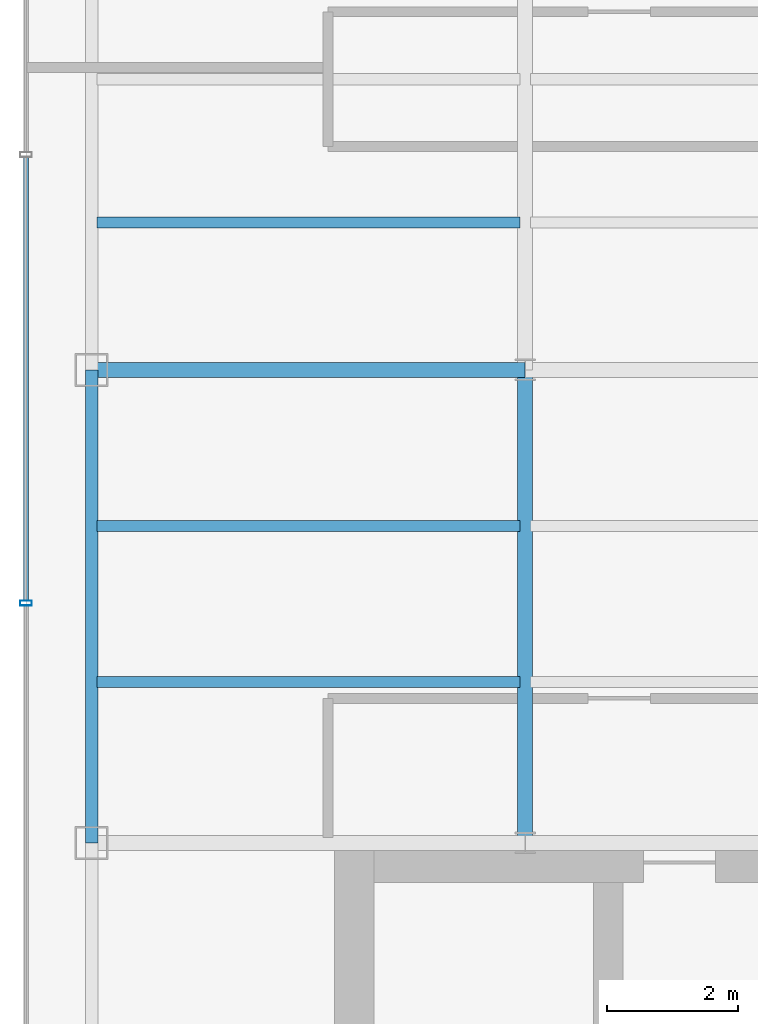
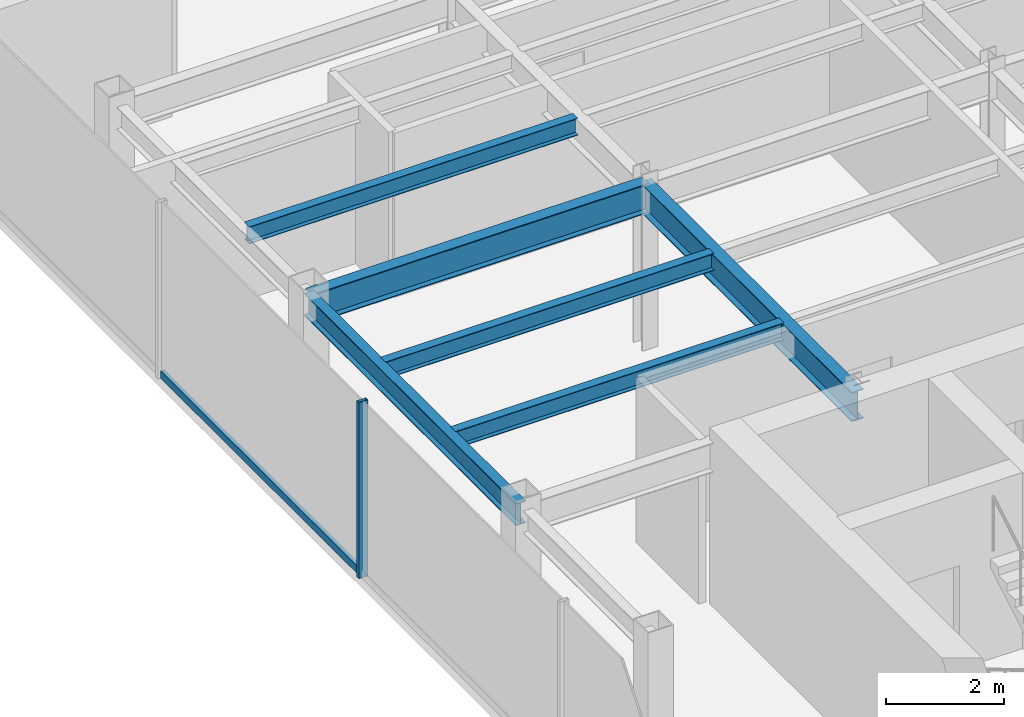
# One storey, part 5 of 22: 6 beams, 2 members, 1 element without a shape of its own.
"""IFC4 building model written with IfcOpenShell, lengths in metres."""

import ifcopenshell
import ifcopenshell.guid

model = None  # the IFC model being written
_history = None  # IfcOwnerHistory: only IFC2X3 demands one
_inside = {}  # id of a spatial element -> (the spatial element, [elements in it])
_under = {}  # id of a project, library or spatial element -> (it, [spatial elements below it])
_declared = {}  # id of a project -> (the project, [libraries it declares])
_typed = {}  # id of a type object -> (the type object, [elements of that type])
_made_of = {}  # id of a material, layer set ... -> (it, [elements and type objects made of it])


def new_model(schema):
    """Start an empty IFC model of exactly this schema.

    Asked for "IFC4X3", IfcOpenShell would pick the latest addendum, in which some entities
    have other attributes; the version numbers below select the first issue.
    IFC2X3 requires an IfcOwnerHistory on every rooted entity: one is made here for all.
    """
    global model, _history
    if schema == "IFC4X3":
        model = ifcopenshell.file(schema_version=(4, 3, 0, 0))
    else:
        model = ifcopenshell.file(schema=schema)
    _inside.clear()
    _under.clear()
    _declared.clear()
    _typed.clear()
    _made_of.clear()
    _history = None
    if model.schema == "IFC2X3":
        org = make("IfcOrganization", Name="unknown")
        user = make(
            "IfcPersonAndOrganization",
            ThePerson=make("IfcPerson", FamilyName="unknown"),
            TheOrganization=org,
        )
        app = make(
            "IfcApplication",
            ApplicationDeveloper=org,
            Version="unknown",
            ApplicationFullName="unknown",
            ApplicationIdentifier="unknown",
        )
        _history = make(
            "IfcOwnerHistory",
            OwningUser=user,
            OwningApplication=app,
            ChangeAction="ADDED",
            CreationDate=0,
        )
    return model


def make(cls, **values):
    """One entity of the class cls with the attributes given. An attribute that is None is left unset."""
    return model.create_entity(
        cls, **{name: value for name, value in values.items() if value is not None}
    )


def rooted(cls, **values):
    """An entity with a GlobalId (a new one), such as an element, a storey or a relation."""
    return make(cls, GlobalId=ifcopenshell.guid.new(), OwnerHistory=_history, **values)


def si_unit(unit_type, name, prefix=None):
    """IfcSIUnit, for example si_unit("LENGTHUNIT", "METRE", prefix="MILLI")."""
    return make("IfcSIUnit", UnitType=unit_type, Prefix=prefix, Name=name)


def derived_unit(unit_type, elements):
    """IfcDerivedUnit: a product of units, each with its exponent."""
    return make(
        "IfcDerivedUnit",
        Elements=[
            make("IfcDerivedUnitElement", Unit=unit, Exponent=power)
            for unit, power in elements
        ],
        UnitType=unit_type,
    )


def assignment(units):
    """IfcUnitAssignment: the units of a project."""
    return None if units is None else make("IfcUnitAssignment", Units=units)


def point(xyz):
    """IfcCartesianPoint."""
    return None if xyz is None else make("IfcCartesianPoint", Coordinates=xyz)


def direction(xyz):
    """IfcDirection."""
    return None if xyz is None else make("IfcDirection", DirectionRatios=xyz)


def frame(location, z_axis=None, x_axis=None):
    """IfcAxis2Placement3D, a coordinate frame: its origin and axes. An axis left out is left unset."""
    return make(
        "IfcAxis2Placement3D",
        Location=point(location),
        Axis=direction(z_axis),
        RefDirection=direction(x_axis),
    )


def frame_2d(location, x_axis=None):
    """IfcAxis2Placement2D, a coordinate frame in the plane: its origin and x axis."""
    return make(
        "IfcAxis2Placement2D", Location=point(location), RefDirection=direction(x_axis)
    )


def origin():
    """The frame at (0, 0, 0) with its axes left unset."""
    return frame((0.0, 0.0, 0.0))


def origin_2d():
    """The frame at (0, 0) in the plane with its x axis left unset."""
    return frame_2d((0.0, 0.0))


def place(relative_to, where):
    """IfcLocalPlacement: puts the frame where relative to a parent placement (None: the world)."""
    return make(
        "IfcLocalPlacement", PlacementRelTo=relative_to, RelativePlacement=where
    )


def context(
    kind, dimensions, precision=None, world=None, true_north=None, identifier=None
):
    """IfcGeometricRepresentationContext, for example the 3D "Model" context."""
    return make(
        "IfcGeometricRepresentationContext",
        ContextIdentifier=identifier,
        ContextType=kind,
        CoordinateSpaceDimension=dimensions,
        Precision=precision,
        WorldCoordinateSystem=world,
        TrueNorth=true_north,
    )


def subcontext(parent, identifier, kind, view, scale=None):
    """IfcGeometricRepresentationSubContext, for example "Body" below "Model"."""
    return make(
        "IfcGeometricRepresentationSubContext",
        ContextIdentifier=identifier,
        ContextType=kind,
        ParentContext=parent,
        TargetScale=scale,
        TargetView=view,
    )


def project(units=None, contexts=None):
    """IfcProject with its units and contexts."""
    return rooted(
        "IfcProject",
        Name="project",
        RepresentationContexts=contexts,
        UnitsInContext=assignment(units),
    )


def spatial(cls, under=None, at=None, **own):
    """A site, building, storey or space (cls), placed at a placement, below another one or the project."""
    s = rooted(cls, ObjectPlacement=at, **own)
    if under is not None:
        _under.setdefault(under.id(), (under, []))[1].append(s)
    return s


def profile(cls, at=None, kind="AREA", **sizes):
    """A parametric profile (cls). Its sizes go by their IFC names, for example OverallWidth=200.0."""
    return make(cls, ProfileType=kind, Position=at, **sizes)


def hollow_rectangle(**sizes):
    """IfcRectangleHollowProfileDef."""
    return profile("IfcRectangleHollowProfileDef", **sizes)


def i_section(**sizes):
    """IfcIShapeProfileDef."""
    return profile("IfcIShapeProfileDef", **sizes)


def extrude(swept, where, along, depth):
    """IfcExtrudedAreaSolid: the profile swept, set in the frame where, extruded along a direction by depth."""
    return make(
        "IfcExtrudedAreaSolid",
        SweptArea=swept,
        Position=where,
        ExtrudedDirection=direction(along),
        Depth=depth,
    )


def shape(context_of_items, identifier, shape_type, items):
    """IfcShapeRepresentation: the items that make up one representation, for example the "Body"."""
    return make(
        "IfcShapeRepresentation",
        ContextOfItems=context_of_items,
        RepresentationIdentifier=identifier,
        RepresentationType=shape_type,
        Items=items,
    )


def source(mapping_origin, context_of_items, identifier, shape_type, items):
    """IfcRepresentationMap: a shape defined once, which mapped items show again and again."""
    return make(
        "IfcRepresentationMap",
        MappingOrigin=mapping_origin,
        MappedRepresentation=shape(context_of_items, identifier, shape_type, items),
    )


def transform(
    local_origin,
    x_axis=None,
    y_axis=None,
    z_axis=None,
    scale=None,
    scale2=None,
    scale3=None,
    uniform=True,
):
    """IfcCartesianTransformationOperator3D, or its non-uniform kind. x_axis, y_axis, z_axis: its Axis1, 2, 3."""
    if uniform:
        return make(
            "IfcCartesianTransformationOperator3D",
            Axis1=direction(x_axis),
            Axis2=direction(y_axis),
            LocalOrigin=point(local_origin),
            Scale=scale,
            Axis3=direction(z_axis),
        )
    return make(
        "IfcCartesianTransformationOperator3DnonUniform",
        Axis1=direction(x_axis),
        Axis2=direction(y_axis),
        LocalOrigin=point(local_origin),
        Scale=scale,
        Axis3=direction(z_axis),
        Scale2=scale2,
        Scale3=scale3,
    )


def mapped(mapping_source, mapping_target):
    """IfcMappedItem: shows the shape of a source again, moved by a transform."""
    return make(
        "IfcMappedItem", MappingSource=mapping_source, MappingTarget=mapping_target
    )


def material(Name=None, Category=None):
    """IfcMaterial."""
    return make("IfcMaterial", Name=Name, Category=Category)


def material_profile(
    of_material, cross_section, Name=None, Category=None, Priority=None
):
    """IfcMaterialProfile: a cross section and its material."""
    return make(
        "IfcMaterialProfile",
        Name=Name,
        Material=of_material,
        Profile=cross_section,
        Priority=Priority,
        Category=Category,
    )


def profile_set(profiles, Name=None, composite=None):
    """IfcMaterialProfileSet."""
    return make(
        "IfcMaterialProfileSet",
        Name=Name,
        MaterialProfiles=profiles,
        CompositeProfile=composite,
    )


def made_of(thing, what):
    """Note that an element or type object is made of a material, layer set ...; save() writes the relation."""
    if what is not None:
        _made_of.setdefault(what.id(), (what, []))[1].append(thing)
    return thing


def type_object(cls, material=None, **own):
    """A type object (cls), such as IfcWallType, which elements share."""
    return made_of(rooted(cls, **own), material)


def element(
    cls,
    number,
    at=None,
    inside=None,
    cuts=None,
    type_object=None,
    material=None,
    context=None,
    identifier="Body",
    shape_type=None,
    held_by="IfcProductDefinitionShape",
    body=None,
    shapes=None,
    **own,
):
    """One element of the class cls, such as IfcWall. Its Tag is "e" and its number.

    at: its placement. inside: the storey or other place that contains it. cuts: it is an
    opening in that element (IfcRelVoidsElement). A single representation is given by context,
    identifier, shape_type and body (its items); several are given by shapes. held_by: the class
    of the entity that holds the representations. save() writes the other relations.
    """
    e = rooted(cls, Tag="e%d" % number, ObjectPlacement=at, **own)
    if body is not None:
        shapes = [shape(context, identifier, shape_type, body)]
    if shapes is not None:
        e.Representation = make(held_by, Representations=shapes)
    if inside is not None:
        _inside.setdefault(inside.id(), (inside, []))[1].append(e)
    if cuts is not None:
        rooted(
            "IfcRelVoidsElement", RelatingBuildingElement=cuts, RelatedOpeningElement=e
        )
    if type_object is not None:
        _typed.setdefault(type_object.id(), (type_object, []))[1].append(e)
    return made_of(e, material)


def aggregate(whole, parts):
    """IfcRelAggregates: a whole, such as a stair, and the parts it consists of."""
    return rooted("IfcRelAggregates", RelatingObject=whole, RelatedObjects=parts)


def save(model, path):
    """Write the relations noted so far, then the file.

    IfcRelAggregates (storeys below a building ...), IfcRelContainedInSpatialStructure (elements
    in a storey), IfcRelDefinesByType, IfcRelAssociatesMaterial and IfcRelDeclares: one each for
    every whole, place, type object, material and project.
    """
    for whole, parts in _under.values():
        aggregate(whole, parts)
    for where, things in _inside.values():
        rooted(
            "IfcRelContainedInSpatialStructure",
            RelatedElements=things,
            RelatingStructure=where,
        )
    for kind, things in _typed.values():
        rooted("IfcRelDefinesByType", RelatedObjects=things, RelatingType=kind)
    for what, things in _made_of.values():
        rooted("IfcRelAssociatesMaterial", RelatedObjects=things, RelatingMaterial=what)
    for by, libraries in _declared.values():
        rooted("IfcRelDeclares", RelatingContext=by, RelatedDefinitions=libraries)
    model.write(path)


model = new_model("IFC4")

# Units and contexts
model_context = context("Model", 3, precision=1e-05, world=origin(), true_north=direction((0.0, 1.0)))
body_context = subcontext(model_context, "Body", "Model", "MODEL_VIEW")
ifc_project = project(units=[si_unit("LENGTHUNIT", "METRE"), si_unit("AREAUNIT", "SQUARE_METRE"), si_unit("VOLUMEUNIT", "CUBIC_METRE"), si_unit("PLANEANGLEUNIT", "RADIAN"), si_unit("MASSUNIT", "GRAM", prefix="KILO"), derived_unit("THERMALTRANSMITTANCEUNIT", [(si_unit("POWERUNIT", "WATT"), 1), (si_unit("LENGTHUNIT", "METRE"), -2), (si_unit("THERMODYNAMICTEMPERATUREUNIT", "KELVIN"), -1)])], contexts=[model_context])

# Site, building, storey
site_placement = place(None, origin())
site = spatial("IfcSite", under=ifc_project, at=site_placement, CompositionType="ELEMENT")
building_placement = place(site_placement, origin())
building = spatial("IfcBuilding", under=site, at=building_placement, Name="Skarnbrae Concourse Arena and Tower", CompositionType="ELEMENT")
storey_placement = place(building_placement, frame((0.0, 0.0, 199.550048828125)))
storey = spatial("IfcBuildingStorey", under=building, at=storey_placement, Name="L51", CompositionType="ELEMENT", Elevation=199.550048828125)

# Beams
ifc_material_1 = material(Name="Steel CSA G40.21 350W", Category="steel")
ifc_material_profile_1 = material_profile(ifc_material_1, i_section(OverallWidth=0.22802734375, OverallDepth=0.60791015625, WebThickness=0.01123046875, FlangeThickness=0.017333984375, at=origin_2d()), Name="W610X113")
ifc_profile_set_1 = profile_set([ifc_material_profile_1], Name="Steel CSA G40.21 350W")
beam_type_1 = type_object("IfcBeamType", Name="BM-GIRD-W610X113", PredefinedType="BEAM", material=ifc_profile_set_1)
shared_shape_1 = source(origin(), body_context, "Body", "SweptSolid", [
    extrude(i_section(OverallWidth=0.22802734375, OverallDepth=0.60791015625, WebThickness=0.01123046875, FlangeThickness=0.017333984375, at=origin_2d()), origin(), (0.0, 0.0, 1.0), 6.60009765625),
])
beam_1_placement = place(storey_placement, frame((1.0, 21.199951171875, 3.095947265625), z_axis=(1.0, 0.0, 0.0), x_axis=(0.0, 1.0, 0.0)))
element("IfcBeam", 1, at=beam_1_placement, inside=storey, type_object=beam_type_1, Name="L51 Primary E-W girder Y21.2-1", PredefinedType="BEAM", context=body_context, shape_type="MappedRepresentation", body=[
    mapped(shared_shape_1, transform((0.0, 0.0, 0.0))),
])
ifc_material_profile_2 = material_profile(ifc_material_1, i_section(OverallWidth=0.19091796875, OverallDepth=0.4599609375, WebThickness=0.010009765625, FlangeThickness=0.01611328125, at=origin_2d()), Name="W460X82")
ifc_profile_set_2 = profile_set([ifc_material_profile_2], Name="Steel CSA G40.21 350W")
beam_type_2 = type_object("IfcBeamType", Name="BM-SPAN-W460X82", PredefinedType="SPANDREL", material=ifc_profile_set_2)
shared_shape_2 = source(origin(), body_context, "Body", "SweptSolid", [
    extrude(i_section(OverallWidth=0.19091796875, OverallDepth=0.4599609375, WebThickness=0.010009765625, FlangeThickness=0.01611328125, at=origin_2d()), origin(), (0.0, 0.0, 1.0), 7.199951171875),
])
beam_2_placement = place(storey_placement, frame((1.0, 14.0, 3.169921875), z_axis=(0.0, 1.0, 0.0), x_axis=(-1.0, 0.0, 0.0)))
element("IfcBeam", 2, at=beam_2_placement, inside=storey, type_object=beam_type_2, Name="L51 Perimeter spandrel X1.0-2", PredefinedType="SPANDREL", context=body_context, shape_type="MappedRepresentation", body=[
    mapped(shared_shape_2, transform((0.0, 0.0, 0.0))),
])
shared_shape_3 = source(origin(), body_context, "Body", "SweptSolid", [
    extrude(i_section(OverallWidth=0.22802734375, OverallDepth=0.60791015625, WebThickness=0.01123046875, FlangeThickness=0.017333984375, at=origin_2d()), origin(), (0.0, 0.0, 1.0), 7.199951171875),
])
beam_3_placement = place(storey_placement, frame((7.60009765625, 14.0, 3.095947265625), z_axis=(0.0, 1.0, 0.0), x_axis=(-1.0, 0.0, 0.0)))
element("IfcBeam", 3, at=beam_3_placement, inside=storey, type_object=beam_type_1, Name="L51 Primary N-S girder X7.6-1", PredefinedType="BEAM", context=body_context, shape_type="MappedRepresentation", body=[
    mapped(shared_shape_3, transform((0.0, 0.0, 0.0))),
])
ifc_material_profile_3 = material_profile(ifc_material_1, i_section(OverallWidth=0.1708984375, OverallDepth=0.35498046875, WebThickness=0.007080078125, FlangeThickness=0.01171875, at=origin_2d()), Name="W360X51")
ifc_profile_set_3 = profile_set([ifc_material_profile_3], Name="Steel CSA G40.21 350W")
beam_type_3 = type_object("IfcBeamType", Name="BM-JOIST-W360X51", PredefinedType="JOIST", material=ifc_profile_set_3)
shared_shape_4 = source(origin(), body_context, "Body", "SweptSolid", [
    extrude(i_section(OverallWidth=0.1708984375, OverallDepth=0.35498046875, WebThickness=0.007080078125, FlangeThickness=0.01171875, at=origin_2d()), origin(), (0.0, 0.0, 1.0), 6.43994140625),
])
for number, where, z_axis, x_axis, name in (
    (4, (1.080078125, 16.447998046875, 3.222412109375), (1.0, 0.0, 0.0), (0.0, 1.0, 0.0), "L51 Secondary floor joist 1.1.1"),
    (5, (1.080078125, 18.823974609375, 3.222412109375), (1.0, 0.0, 0.0), (0.0, 1.0, 0.0), "L51 Secondary floor joist 1.2.1"),
    (6, (1.080078125, 23.444091796875, 3.222412109375), (1.0, 0.0, 0.0), (0.0, 1.0, 0.0), "L51 Secondary floor joist 2.1.1"),
):
    element("IfcBeam", number, at=place(storey_placement, frame(where, z_axis=z_axis, x_axis=x_axis)), inside=storey, type_object=beam_type_3, Name=name, PredefinedType="JOIST", context=body_context, shape_type="MappedRepresentation", body=[
        mapped(shared_shape_4, transform((0.0, 0.0, 0.0))),
    ])

# Curtain wall, members
ifc_material_2 = material(Name="Bronze anodised aluminium 6063-T6", Category="aluminium")
curtain_wall_type = type_object("IfcCurtainWallType", Name="CW-SYS-05-HIGHZONE", PredefinedType="USERDEFINED", material=ifc_material_2)
curtain_wall_placement = place(storey_placement, origin())
curtain_wall = element("IfcCurtainWall", 7, at=curtain_wall_placement, inside=storey, type_object=curtain_wall_type, Name="L51 Unitised curtain wall CW-L51-E18", ObjectType="UNITISED CURTAIN WALL", PredefinedType="USERDEFINED")
ifc_material_profile_4 = material_profile(ifc_material_2, hollow_rectangle(XDim=0.074951171875, YDim=0.179931640625, WallThickness=0.00390625, at=origin_2d()), Name="ALU-MULL-75X180")
ifc_profile_set_4 = profile_set([ifc_material_profile_4], Name="Bronze anodised aluminium 6063-T6")
member_type_1 = type_object("IfcMemberType", Name="CWM-CW-05", PredefinedType="MULLION", material=ifc_profile_set_4)
shared_shape_5 = source(origin(), body_context, "Body", "SweptSolid", [
    extrude(hollow_rectangle(XDim=0.074951171875, YDim=0.179931640625, WallThickness=0.00390625, at=origin_2d()), origin(), (0.0, 0.0, 1.0), 3.64990234375),
])
member_1_placement = place(storey_placement, frame((0.0, 17.64990234375, 0.0), z_axis=(0.0, 0.0, 1.0), x_axis=(0.0, -1.0, 0.0)))
member_1 = element("IfcMember", 8, at=member_1_placement, type_object=member_type_1, Name="CW-L51-E18 Mullion 3", PredefinedType="MULLION", context=body_context, shape_type="MappedRepresentation", body=[
    mapped(shared_shape_5, transform((0.0, 0.0, 0.0))),
])
ifc_material_profile_5 = material_profile(ifc_material_2, hollow_rectangle(XDim=0.074951171875, YDim=0.14990234375, WallThickness=0.00390625, at=origin_2d()), Name="ALU-TRAN-75X150")
ifc_profile_set_5 = profile_set([ifc_material_profile_5], Name="Bronze anodised aluminium 6063-T6")
member_type_2 = type_object("IfcMemberType", Name="CWT-CW-05", PredefinedType="USERDEFINED", material=ifc_profile_set_5)
shared_shape_6 = source(origin(), body_context, "Body", "SweptSolid", [
    extrude(hollow_rectangle(XDim=0.074951171875, YDim=0.14990234375, WallThickness=0.00390625, at=origin_2d()), origin(), (0.0, 0.0, 1.0), 6.75),
])
member_2_placement = place(storey_placement, frame((0.0, 24.4375, 0.074951171875), z_axis=(0.0, -1.0, 0.0), x_axis=(1.0, 0.0, 0.0)))
member_2 = element("IfcMember", 9, at=member_2_placement, type_object=member_type_2, Name="CW-L51-E18 Transom 2", ObjectType="TRANSOM", PredefinedType="USERDEFINED", context=body_context, shape_type="MappedRepresentation", body=[
    mapped(shared_shape_6, transform((0.0, 0.0, 0.0))),
])
aggregate(curtain_wall, [member_1, member_2])

save(model, "model.ifc")
